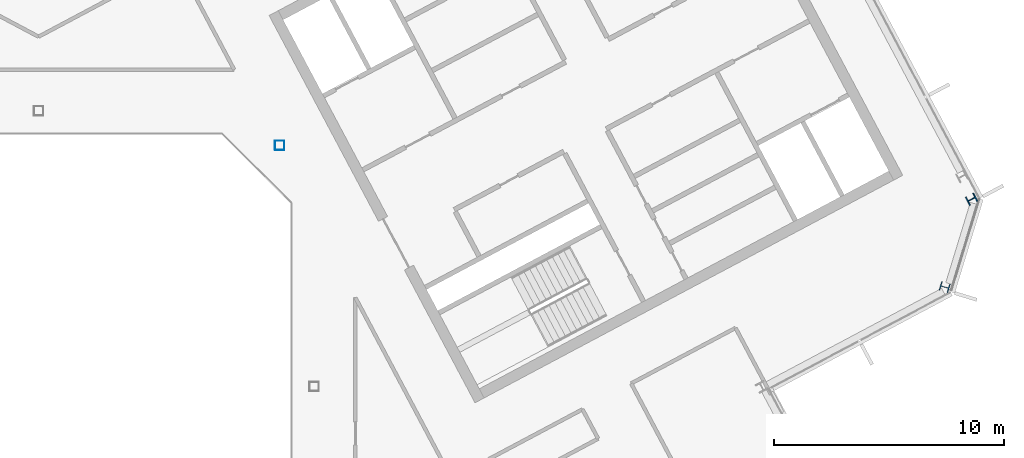
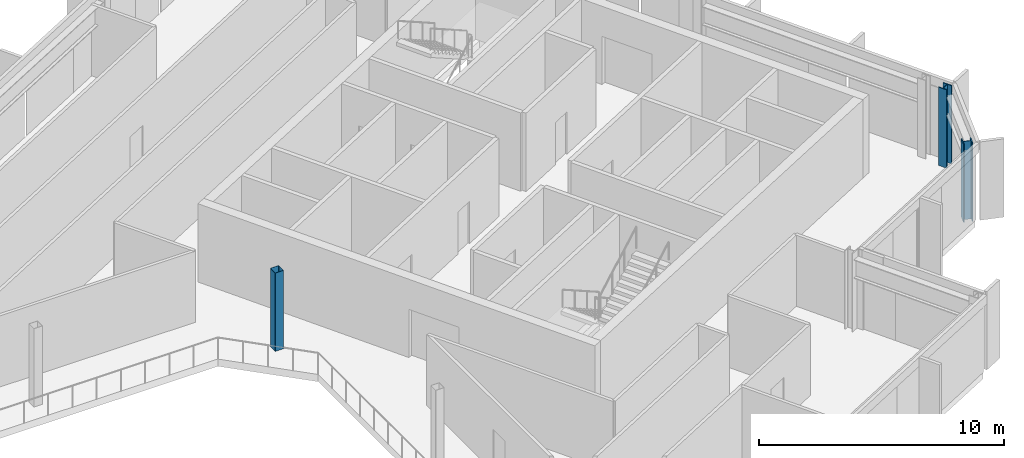
# One storey, part 6 of 26: 3 columns.
"""IFC4 building model written with IfcOpenShell, lengths in metres."""

from ifc_helpers import new_model, si_unit, direction, frame, origin, origin_2d, place, context, subcontext, project, spatial, hollow_rectangle, i_section, extrude, material, material_profile, profile_set, type_object, element, save


model = new_model("IFC4")

# Units and contexts
model_context = context("Model", 3, precision=1e-05, world=origin(), true_north=direction((0.0, 1.0)))
body_context = subcontext(model_context, "Body", "Model", "MODEL_VIEW")
ifc_project = project(units=[si_unit("LENGTHUNIT", "METRE"), si_unit("AREAUNIT", "SQUARE_METRE"), si_unit("VOLUMEUNIT", "CUBIC_METRE"), si_unit("PLANEANGLEUNIT", "RADIAN"), si_unit("MASSUNIT", "GRAM", prefix="KILO")], contexts=[model_context])

# Site, building, storey
site_placement = place(None, origin())
site = spatial("IfcSite", under=ifc_project, at=site_placement, CompositionType="ELEMENT")
building_placement = place(site_placement, origin())
building = spatial("IfcBuilding", under=site, at=building_placement, Name="Cormorant Relay Tower", CompositionType="ELEMENT")
storey_placement = place(building_placement, frame((0.0, 0.0, 308.699951171875)))
storey = spatial("IfcBuildingStorey", under=building, at=storey_placement, Name="L70", CompositionType="ELEMENT", Elevation=308.699951171875)

# Columns
ifc_material_1 = material(Name="Steel ASTM A500 Grade C (Fy 345 MPa)", Category="steel")
ifc_material_profile_1 = material_profile(ifc_material_1, hollow_rectangle(XDim=0.406494140625, YDim=0.406494140625, WallThickness=0.0087890625, InnerFilletRadius=0.00439453125, OuterFilletRadius=0.01318359375, at=origin_2d()), Name="HSS406x406x9")
ifc_profile_set_1 = profile_set([ifc_material_profile_1], Name="Steel ASTM A500 Grade C (Fy 345 MPa)")
column_type_1 = type_object("IfcColumnType", Name="Column HSS406x406x9", PredefinedType="COLUMN", material=ifc_profile_set_1)
column_placement = place(storey_placement, frame((10.5, 10.5, 0.0), z_axis=(0.0, 0.0, 1.0), x_axis=(1.0, 0.0, 0.0)))
element("IfcColumn", 1, at=column_placement, inside=storey, type_object=column_type_1, Name="Column L70-024", PredefinedType="COLUMN", context=body_context, shape_type="SweptSolid", body=[
    extrude(hollow_rectangle(XDim=0.406494140625, YDim=0.406494140625, WallThickness=0.0087890625, InnerFilletRadius=0.00439453125, OuterFilletRadius=0.01318359375, at=origin_2d()), origin(), (0.0, 0.0, 1.0), 3.900146484375),
])
ifc_material_2 = material(Name="Steel ASTM A992 (Fy 345 MPa)", Category="steel")
ifc_material_profile_2 = material_profile(ifc_material_2, i_section(OverallWidth=0.40380859375, OverallDepth=0.406494140625, WebThickness=0.027099609375, FlangeThickness=0.043701171875, FilletRadius=0.01513671875, at=origin_2d()), Name="W360x347")
ifc_profile_set_2 = profile_set([ifc_material_profile_2], Name="Steel ASTM A992 (Fy 345 MPa)")
column_type_2 = type_object("IfcColumnType", Name="Column W360x347", PredefinedType="COLUMN", material=ifc_profile_set_2)
for number, where, z_axis, x_axis, name in (
    (2, (39.464111328125, 4.330078125, 0.0), (0.0, 0.0, 1.0), (0.292371704723, 0.956304755963, 0.0), "Column L70-019"),
    (3, (40.633056640625, 8.153076171875, 0.0), (0.0, 0.0, 1.0), (-0.469471562786, 0.882947592859, 0.0), "Column L70-020"),
):
    element("IfcColumn", number, at=place(storey_placement, frame(where, z_axis=z_axis, x_axis=x_axis)), inside=storey, type_object=column_type_2, Name=name, PredefinedType="COLUMN", context=body_context, shape_type="SweptSolid", body=[
        extrude(i_section(OverallWidth=0.40380859375, OverallDepth=0.406494140625, WebThickness=0.027099609375, FlangeThickness=0.043701171875, FilletRadius=0.01513671875, at=origin_2d()), origin(), (0.0, 0.0, 1.0), 3.900146484375),
    ])

save(model, "model.ifc")
